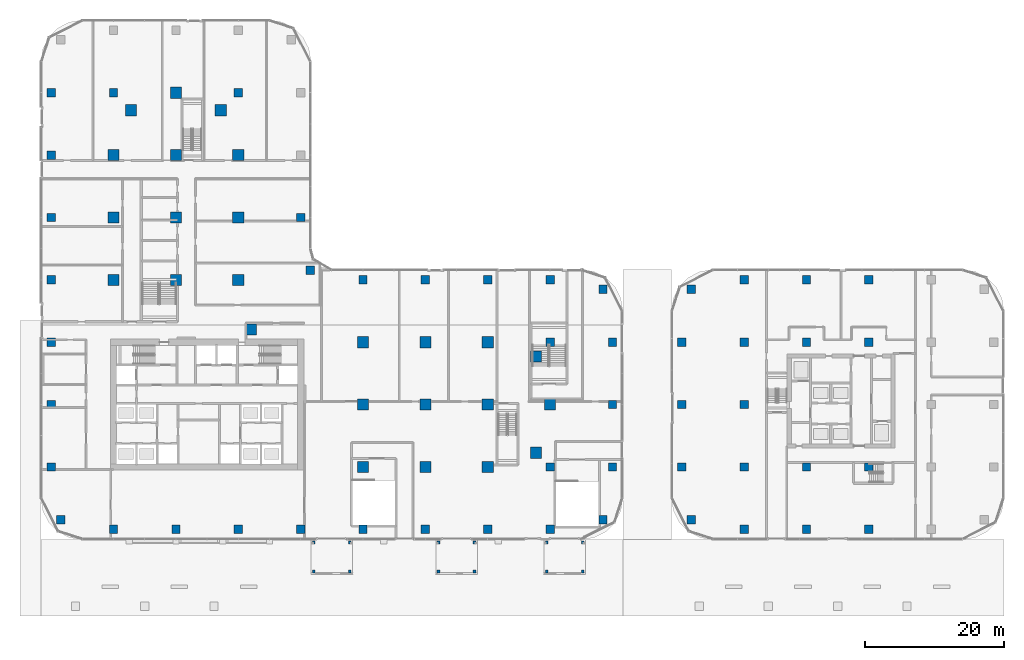
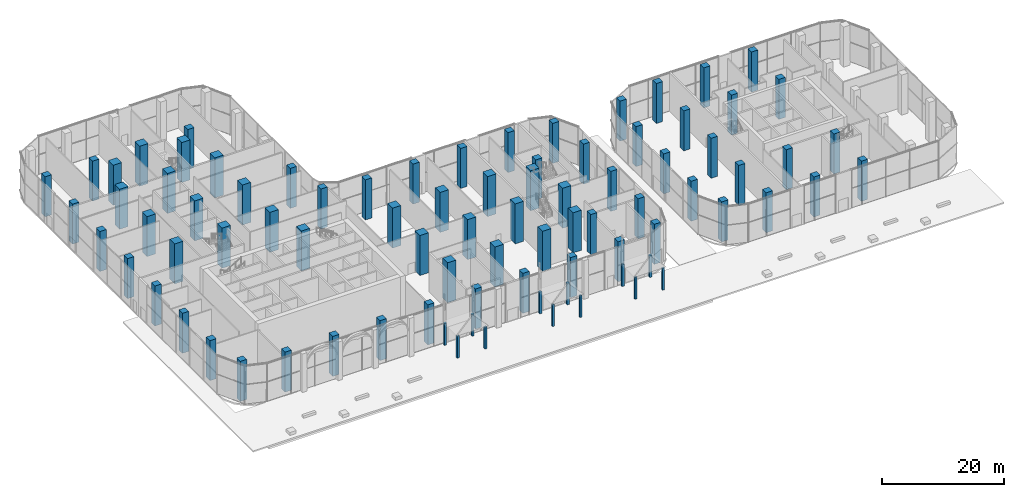
# One storey, part 1 of 54: 86 columns.
"""IFC4 building model written with IfcOpenShell, lengths in metres."""

from ifc_helpers import new_model, si_unit, direction, frame, origin, origin_2d, place, context, subcontext, project, spatial, rectangle, extrude, material, material_profile, profile_set, type_object, element, save


model = new_model("IFC4")

# Units and contexts
model_context = context("Model", 3, precision=1e-05, world=origin(), true_north=direction((0.0, 1.0)))
body_context = subcontext(model_context, "Body", "Model", "MODEL_VIEW")
ifc_project = project(units=[si_unit("LENGTHUNIT", "METRE"), si_unit("AREAUNIT", "SQUARE_METRE"), si_unit("VOLUMEUNIT", "CUBIC_METRE"), si_unit("PLANEANGLEUNIT", "RADIAN"), si_unit("MASSUNIT", "GRAM", prefix="KILO")], contexts=[model_context])

# Site, building, storey
site_placement = place(None, origin())
site = spatial("IfcSite", under=ifc_project, at=site_placement, CompositionType="ELEMENT")
building_placement = place(site_placement, origin())
building = spatial("IfcBuilding", under=site, at=building_placement, Name="Ogive Portal Towers", CompositionType="ELEMENT")
storey_placement = place(building_placement, origin())
storey = spatial("IfcBuildingStorey", under=building, at=storey_placement, Name="L00", CompositionType="ELEMENT", Elevation=0.0)

# Columns
ifc_material_1 = material(Name="Concrete C50/60", Category="concrete")
ifc_material_profile_1 = material_profile(ifc_material_1, rectangle(XDim=1.199951171875, YDim=1.199951171875, at=origin_2d()), Name="RC 1200x1200")
ifc_profile_set_1 = profile_set([ifc_material_profile_1], Name="Concrete C50/60")
column_type_1 = type_object("IfcColumnType", Name="COLUMN RC 1200x1200", PredefinedType="COLUMN", material=ifc_profile_set_1)
for number, where, z_axis, x_axis, name in (
    (1, (31.5, 12.5, 0.0), (0.0, 0.0, 1.0), (1.0, 0.0, 0.0), "Column 1/Z L00"),
    (2, (40.5, 12.5, 0.0), (0.0, 0.0, 1.0), (1.0, 0.0, 0.0), "Column 2/Z L00"),
    (3, (49.5, 12.5, 0.0), (0.0, 0.0, 1.0), (1.0, 0.0, 0.0), "Column 3/Z L00"),
    (4, (58.5, 12.5, 0.0), (0.0, 0.0, 1.0), (1.0, 0.0, 0.0), "Column 4/Z L00"),
    (5, (67.5, 12.5, 0.0), (0.0, 0.0, 1.0), (1.0, 0.0, 0.0), "Column 5/Z L00"),
    (6, (76.5, 12.5, 0.0), (0.0, 0.0, 1.0), (1.0, 0.0, 0.0), "Column 6/Z L00"),
    (7, (85.5, 12.5, 0.0), (0.0, 0.0, 1.0), (1.0, 0.0, 0.0), "Column 7/Z L00"),
    (8, (94.5, 12.5, 0.0), (0.0, 0.0, 1.0), (1.0, 0.0, 0.0), "Column 8/Z L00"),
    (9, (23.8701171875, 13.8701171875, 0.0), (0.0, 0.0, 1.0), (1.0, 0.0, 0.0), "Column L00"),
    (10, (102.1298828125, 13.8701171875, 0.0), (0.0, 0.0, 1.0), (1.0, 0.0, 0.0), "Column L00"),
    (11, (22.5, 21.5, 0.0), (0.0, 0.0, 1.0), (1.0, 0.0, 0.0), "Column 0/A L00"),
    (12, (94.5, 21.5, 0.0), (0.0, 0.0, 1.0), (1.0, 0.0, 0.0), "Column 8/A L00"),
    (13, (103.5, 21.5, 0.0), (0.0, 0.0, 1.0), (1.0, 0.0, 0.0), "Column 9/A L00"),
    (14, (22.5, 30.5, 0.0), (0.0, 0.0, 1.0), (1.0, 0.0, 0.0), "Column 0/B L00"),
    (15, (103.5, 30.5, 0.0), (0.0, 0.0, 1.0), (1.0, 0.0, 0.0), "Column 9/B L00"),
    (16, (22.5, 39.5, 0.0), (0.0, 0.0, 1.0), (1.0, 0.0, 0.0), "Column 0/C L00"),
    (17, (94.5, 39.5, 0.0), (0.0, 0.0, 1.0), (1.0, 0.0, 0.0), "Column 8/C L00"),
    (18, (103.5, 39.5, 0.0), (0.0, 0.0, 1.0), (1.0, 0.0, 0.0), "Column 9/C L00"),
    (19, (102.1298828125, 47.1298828125, 0.0), (0.0, 0.0, 1.0), (1.0, 0.0, 0.0), "Column L00"),
    (20, (22.5, 48.5, 0.0), (0.0, 0.0, 1.0), (1.0, 0.0, 0.0), "Column 0/D L00"),
    (21, (67.5, 48.5, 0.0), (0.0, 0.0, 1.0), (1.0, 0.0, 0.0), "Column 5/D L00"),
    (22, (76.5, 48.5, 0.0), (0.0, 0.0, 1.0), (1.0, 0.0, 0.0), "Column 6/D L00"),
    (23, (85.5, 48.5, 0.0), (0.0, 0.0, 1.0), (1.0, 0.0, 0.0), "Column 7/D L00"),
    (24, (94.5, 48.5, 0.0), (0.0, 0.0, 1.0), (1.0, 0.0, 0.0), "Column 8/D L00"),
    (25, (59.889892578125, 49.889892578125, 0.0), (0.0, 0.0, 1.0), (1.0, 0.0, 0.0), "Column L00"),
    (26, (22.5, 57.5, 0.0), (0.0, 0.0, 1.0), (1.0, 0.0, 0.0), "Column 0/E L00"),
    (27, (58.5, 57.5, 0.0), (0.0, 0.0, 1.0), (1.0, 0.0, 0.0), "Column 4/E L00"),
    (28, (22.5, 66.5, 0.0), (0.0, 0.0, 1.0), (1.0, 0.0, 0.0), "Column 0/F L00"),
    (29, (22.5, 75.5, 0.0), (0.0, 0.0, 1.0), (1.0, 0.0, 0.0), "Column 0/G L00"),
    (30, (31.5, 75.5, 0.0), (0.0, 0.0, 1.0), (1.0, 0.0, 0.0), "Column 1/G L00"),
    (31, (49.5, 75.5, 0.0), (0.0, 0.0, 1.0), (1.0, 0.0, 0.0), "Column 3/G L00"),
    (32, (122.5, 12.5, 0.0), (0.0, 0.0, 1.0), (1.0, 0.0, 0.0), "Column P2/Q1 L00"),
    (33, (131.5, 12.5, 0.0), (0.0, 0.0, 1.0), (1.0, 0.0, 0.0), "Column P3/Q1 L00"),
    (34, (140.5, 12.5, 0.0), (0.0, 0.0, 1.0), (1.0, 0.0, 0.0), "Column P4/Q1 L00"),
    (35, (114.8701171875, 13.8701171875, 0.0), (0.0, 0.0, 1.0), (1.0, 0.0, 0.0), "Column L00"),
    (36, (113.5, 21.5, 0.0), (0.0, 0.0, 1.0), (1.0, 0.0, 0.0), "Column P1/Q2 L00"),
    (37, (122.5, 21.5, 0.0), (0.0, 0.0, 1.0), (1.0, 0.0, 0.0), "Column P2/Q2 L00"),
    (38, (131.5, 21.5, 0.0), (0.0, 0.0, 1.0), (1.0, 0.0, 0.0), "Column P3/Q2 L00"),
    (39, (140.5, 21.5, 0.0), (0.0, 0.0, 1.0), (1.0, 0.0, 0.0), "Column P4/Q2 L00"),
    (40, (113.5, 30.5, 0.0), (0.0, 0.0, 1.0), (1.0, 0.0, 0.0), "Column P1/Q3 L00"),
    (41, (122.5, 30.5, 0.0), (0.0, 0.0, 1.0), (1.0, 0.0, 0.0), "Column P2/Q3 L00"),
    (42, (113.5, 39.5, 0.0), (0.0, 0.0, 1.0), (1.0, 0.0, 0.0), "Column P1/Q4 L00"),
    (43, (122.5, 39.5, 0.0), (0.0, 0.0, 1.0), (1.0, 0.0, 0.0), "Column P2/Q4 L00"),
    (44, (131.5, 39.5, 0.0), (0.0, 0.0, 1.0), (1.0, 0.0, 0.0), "Column P3/Q4 L00"),
    (45, (140.5, 39.5, 0.0), (0.0, 0.0, 1.0), (1.0, 0.0, 0.0), "Column P4/Q4 L00"),
    (46, (114.8701171875, 47.1298828125, 0.0), (0.0, 0.0, 1.0), (1.0, 0.0, 0.0), "Column L00"),
    (47, (122.5, 48.5, 0.0), (0.0, 0.0, 1.0), (1.0, 0.0, 0.0), "Column P2/Q5 L00"),
    (48, (131.5, 48.5, 0.0), (0.0, 0.0, 1.0), (1.0, 0.0, 0.0), "Column P3/Q5 L00"),
    (49, (140.5, 48.5, 0.0), (0.0, 0.0, 1.0), (1.0, 0.0, 0.0), "Column P4/Q5 L00"),
):
    element("IfcColumn", number, at=place(storey_placement, frame(where, z_axis=z_axis, x_axis=x_axis)), inside=storey, type_object=column_type_1, Name=name, PredefinedType="COLUMN", context=body_context, shape_type="SweptSolid", body=[
        extrude(rectangle(XDim=1.199951171875, YDim=1.199951171875, at=origin_2d()), origin(), (0.0, 0.0, 1.0), 8.0),
    ])
ifc_material_2 = material(Name="Concrete C60/75", Category="concrete")
ifc_material_profile_2 = material_profile(ifc_material_2, rectangle(XDim=1.60009765625, YDim=1.60009765625, at=origin_2d()), Name="RC 1600x1600")
ifc_profile_set_2 = profile_set([ifc_material_profile_2], Name="Concrete C60/75")
column_type_2 = type_object("IfcColumnType", Name="COLUMN RC 1600x1600", PredefinedType="COLUMN", material=ifc_profile_set_2)
for number, where, z_axis, x_axis, name in (
    (50, (67.5, 21.5, 0.0), (0.0, 0.0, 1.0), (1.0, 0.0, 0.0), "Column 5/A L00"),
    (51, (76.5, 21.5, 0.0), (0.0, 0.0, 1.0), (1.0, 0.0, 0.0), "Column 6/A L00"),
    (52, (85.5, 21.5, 0.0), (0.0, 0.0, 1.0), (1.0, 0.0, 0.0), "Column 7/A L00"),
    (53, (67.5, 30.5, 0.0), (0.0, 0.0, 1.0), (1.0, 0.0, 0.0), "Column 5/B L00"),
    (54, (76.5, 30.5, 0.0), (0.0, 0.0, 1.0), (1.0, 0.0, 0.0), "Column 6/B L00"),
    (55, (85.5, 30.5, 0.0), (0.0, 0.0, 1.0), (1.0, 0.0, 0.0), "Column 7/B L00"),
    (56, (94.5, 30.5, 0.0), (0.0, 0.0, 1.0), (1.0, 0.0, 0.0), "Column 8/B L00"),
    (57, (67.5, 39.5, 0.0), (0.0, 0.0, 1.0), (1.0, 0.0, 0.0), "Column 5/C L00"),
    (58, (76.5, 39.5, 0.0), (0.0, 0.0, 1.0), (1.0, 0.0, 0.0), "Column 6/C L00"),
    (59, (85.5, 39.5, 0.0), (0.0, 0.0, 1.0), (1.0, 0.0, 0.0), "Column 7/C L00"),
    (60, (31.5, 48.5, 0.0), (0.0, 0.0, 1.0), (1.0, 0.0, 0.0), "Column 1/D L00"),
    (61, (40.5, 48.5, 0.0), (0.0, 0.0, 1.0), (1.0, 0.0, 0.0), "Column 2/D L00"),
    (62, (49.5, 48.5, 0.0), (0.0, 0.0, 1.0), (1.0, 0.0, 0.0), "Column 3/D L00"),
    (63, (31.5, 57.5, 0.0), (0.0, 0.0, 1.0), (1.0, 0.0, 0.0), "Column 1/E L00"),
    (64, (40.5, 57.5, 0.0), (0.0, 0.0, 1.0), (1.0, 0.0, 0.0), "Column 2/E L00"),
    (65, (49.5, 57.5, 0.0), (0.0, 0.0, 1.0), (1.0, 0.0, 0.0), "Column 3/E L00"),
    (66, (31.5, 66.5, 0.0), (0.0, 0.0, 1.0), (1.0, 0.0, 0.0), "Column 1/F L00"),
    (67, (40.5, 66.5, 0.0), (0.0, 0.0, 1.0), (1.0, 0.0, 0.0), "Column 2/F L00"),
    (68, (49.5, 66.5, 0.0), (0.0, 0.0, 1.0), (1.0, 0.0, 0.0), "Column 3/F L00"),
    (69, (40.5, 75.5, 0.0), (0.0, 0.0, 1.0), (1.0, 0.0, 0.0), "Column 2/G L00"),
    (70, (34.030029296875, 72.969970703125, 0.0), (0.0, 0.0, 1.0), (1.0, 0.0, 0.0), "Column L00"),
    (71, (46.969970703125, 72.969970703125, 0.0), (0.0, 0.0, 1.0), (1.0, 0.0, 0.0), "Column L00"),
    (72, (51.31005859375, 41.31005859375, 0.0), (0.0, 0.0, 1.0), (1.0, 0.0, 0.0), "Column L00"),
    (73, (92.449951171875, 23.550048828125, 0.0), (0.0, 0.0, 1.0), (1.0, 0.0, 0.0), "Column L00"),
    (74, (92.449951171875, 37.449951171875, 0.0), (0.0, 0.0, 1.0), (1.0, 0.0, 0.0), "Column L00"),
):
    element("IfcColumn", number, at=place(storey_placement, frame(where, z_axis=z_axis, x_axis=x_axis)), inside=storey, type_object=column_type_2, Name=name, PredefinedType="COLUMN", context=body_context, shape_type="SweptSolid", body=[
        extrude(rectangle(XDim=1.60009765625, YDim=1.60009765625, at=origin_2d()), origin(), (0.0, 0.0, 1.0), 8.0),
    ])
ifc_material_profile_3 = material_profile(ifc_material_2, rectangle(XDim=0.39990234375, YDim=0.39990234375, at=origin_2d()), Name="RC 400x400")
ifc_profile_set_3 = profile_set([ifc_material_profile_3], Name="Concrete C60/75")
column_type_3 = type_object("IfcColumnType", Name="PORCH COLUMN RC 400x400", PredefinedType="COLUMN", material=ifc_profile_set_3)
for number, where, z_axis, x_axis, name in (
    (75, (60.39990234375, 6.39990234375, -0.02001953125), (0.0, 0.0, 1.0), (1.0, 0.0, 0.0), "Porch column PC1"),
    (76, (65.60009765625, 6.39990234375, -0.02001953125), (0.0, 0.0, 1.0), (1.0, 0.0, 0.0), "Porch column PC2"),
    (77, (60.39990234375, 10.60009765625, -0.02001953125), (0.0, 0.0, 1.0), (1.0, 0.0, 0.0), "Porch column PC3"),
    (78, (65.60009765625, 10.60009765625, -0.02001953125), (0.0, 0.0, 1.0), (1.0, 0.0, 0.0), "Porch column PC4"),
    (79, (78.39990234375, 6.39990234375, -0.02001953125), (0.0, 0.0, 1.0), (1.0, 0.0, 0.0), "Porch column PC5"),
    (80, (83.60009765625, 6.39990234375, -0.02001953125), (0.0, 0.0, 1.0), (1.0, 0.0, 0.0), "Porch column PC6"),
    (81, (78.39990234375, 10.60009765625, -0.02001953125), (0.0, 0.0, 1.0), (1.0, 0.0, 0.0), "Porch column PC7"),
    (82, (83.60009765625, 10.60009765625, -0.02001953125), (0.0, 0.0, 1.0), (1.0, 0.0, 0.0), "Porch column PC8"),
    (83, (94.0, 6.39990234375, -0.02001953125), (0.0, 0.0, 1.0), (1.0, 0.0, 0.0), "Porch column PC9"),
    (84, (99.199951171875, 6.39990234375, -0.02001953125), (0.0, 0.0, 1.0), (1.0, 0.0, 0.0), "Porch column PC10"),
    (85, (94.0, 10.60009765625, -0.02001953125), (0.0, 0.0, 1.0), (1.0, 0.0, 0.0), "Porch column PC11"),
    (86, (99.199951171875, 10.60009765625, -0.02001953125), (0.0, 0.0, 1.0), (1.0, 0.0, 0.0), "Porch column PC12"),
):
    element("IfcColumn", number, at=place(storey_placement, frame(where, z_axis=z_axis, x_axis=x_axis)), inside=storey, type_object=column_type_3, Name=name, PredefinedType="COLUMN", context=body_context, shape_type="SweptSolid", body=[
        extrude(rectangle(XDim=0.39990234375, YDim=0.39990234375, at=origin_2d()), origin(), (0.0, 0.0, 1.0), 4.3701171875),
    ])

save(model, "model.ifc")
